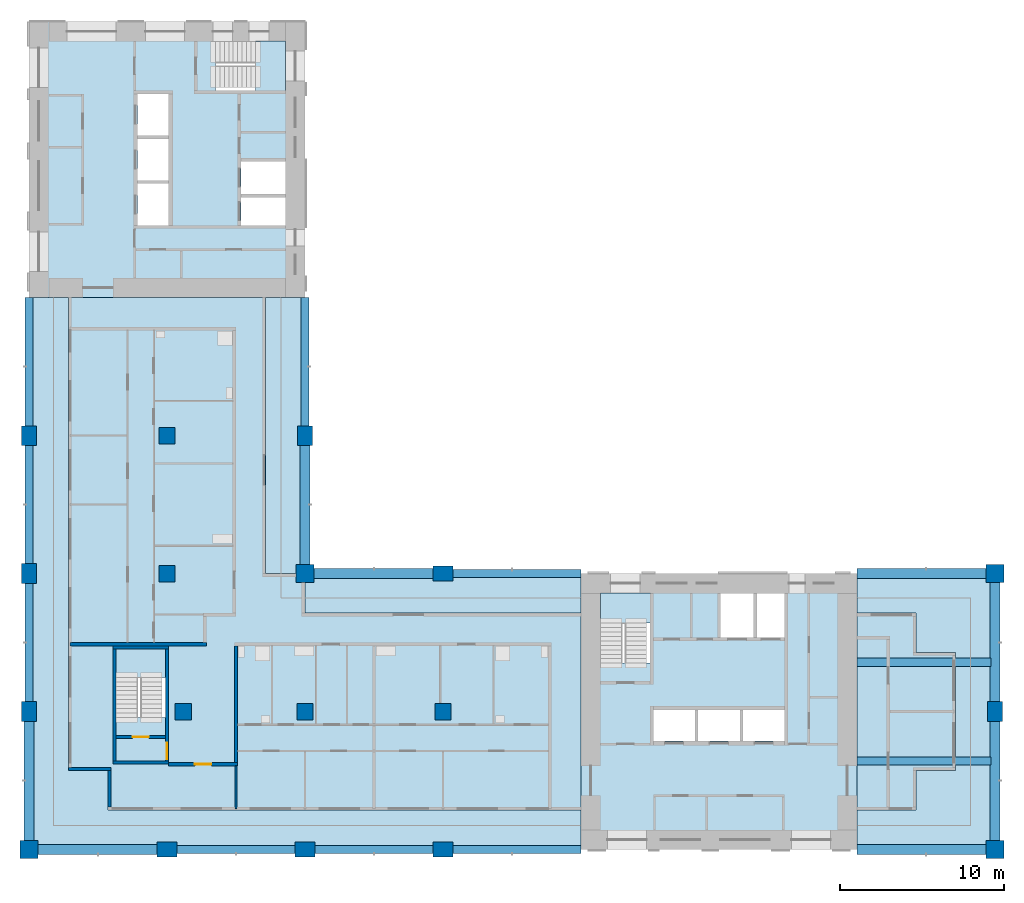
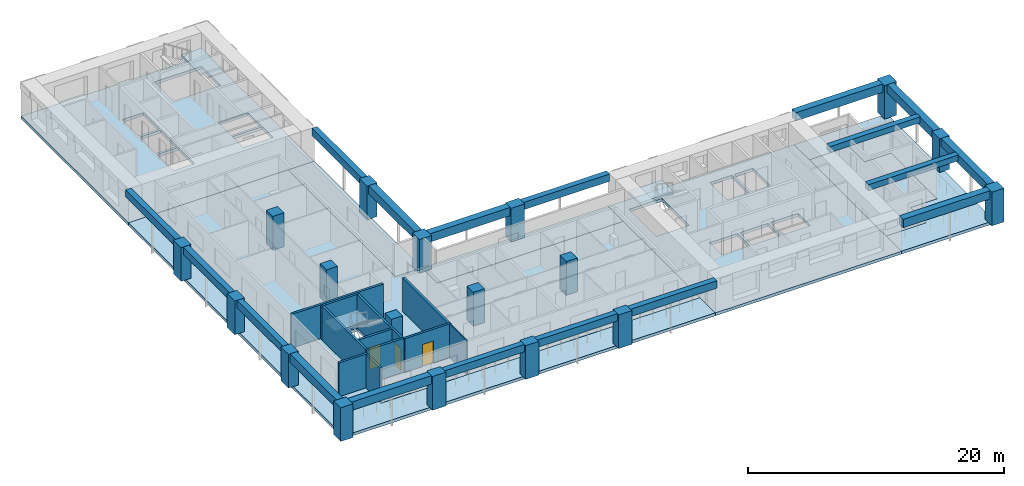
# One storey, part 1 of 11: 18 beams, 18 columns, 12 slabs, 11 walls, 3 doors, 3 openings, 3 elements without a shape of their own.
"""IFC4 building model written with IfcOpenShell, lengths in metres."""

from ifc_helpers import new_model, si_unit, direction, frame, frame_2d, origin, origin_2d, place, context, subcontext, project, spatial, polyline, rectangle, outline, extrude, material, layer, layer_set, material_profile, profile_set, type_object, element, fill, aggregate, save


model = new_model("IFC4")

# Units and contexts
model_context = context("Model", 3, precision=1e-05, world=origin(), true_north=direction((0.0, 1.0)))
body_context = subcontext(model_context, "Body", "Model", "MODEL_VIEW")
ifc_project = project(units=[si_unit("LENGTHUNIT", "METRE"), si_unit("AREAUNIT", "SQUARE_METRE"), si_unit("VOLUMEUNIT", "CUBIC_METRE"), si_unit("PLANEANGLEUNIT", "RADIAN"), si_unit("MASSUNIT", "GRAM", prefix="KILO")], contexts=[model_context])

# Site, building, storey
site_placement = place(None, origin())
site = spatial("IfcSite", under=ifc_project, at=site_placement, CompositionType="ELEMENT")
building_placement = place(site_placement, origin())
building = spatial("IfcBuilding", under=site, at=building_placement, Name="Vermilion Gate Residences", CompositionType="ELEMENT")
storey_placement = place(building_placement, frame((0.0, 0.0, 200.199951171875)))
storey = spatial("IfcBuildingStorey", under=building, at=storey_placement, Name="L52", CompositionType="ELEMENT", Elevation=200.199951171875)

# Columns
ifc_material_1 = material(Name="Concrete C60", Category="concrete")
ifc_material_profile_1 = material_profile(ifc_material_1, rectangle(XDim=1.0, YDim=1.0, at=origin_2d()), Name="RC-1000x1000")
ifc_profile_set_1 = profile_set([ifc_material_profile_1], Name="Concrete C60")
column_type_1 = type_object("IfcColumnType", Name="RC COLUMN 1000 X 1000 C60", PredefinedType="COLUMN", material=ifc_profile_set_1)
for number, where, z_axis, x_axis, name in (
    (1, (17.800048828125, 16.800048828125, 0.0), (0.0, 0.0, 1.0), (1.0, 0.0, 0.0), "Column 3-C L52"),
    (2, (16.800048828125, 25.199951171875, 0.0), (0.0, 0.0, 1.0), (1.0, 0.0, 0.0), "Column 3-D L52"),
    (3, (16.800048828125, 33.60009765625, 0.0), (0.0, 0.0, 1.0), (1.0, 0.0, 0.0), "Column 3-E L52"),
    (4, (25.199951171875, 16.800048828125, 0.0), (0.0, 0.0, 1.0), (1.0, 0.0, 0.0), "Column 4-C L52"),
    (5, (33.60009765625, 16.800048828125, 0.0), (0.0, 0.0, 1.0), (1.0, 0.0, 0.0), "Column 5-C L52"),
):
    element("IfcColumn", number, at=place(storey_placement, frame(where, z_axis=z_axis, x_axis=x_axis)), inside=storey, type_object=column_type_1, Name=name, PredefinedType="COLUMN", context=body_context, shape_type="SweptSolid", body=[
        extrude(rectangle(XDim=1.0, YDim=1.0, at=origin_2d()), origin(), (0.0, 0.0, 1.0), 3.219970703125),
    ])
ifc_material_2 = material(Name="Concrete C60", Category="concrete")
ifc_material_profile_2 = material_profile(ifc_material_2, rectangle(XDim=1.10009765625, YDim=1.10009765625, at=origin_2d()), Name="RC-1100x1100")
ifc_profile_set_2 = profile_set([ifc_material_profile_2], Name="Concrete C60")
column_type_2 = type_object("IfcColumnType", Name="RC COLUMN 1100 X 1100 C60", PredefinedType="COLUMN", material=ifc_profile_set_2)
for number, where, z_axis, x_axis, name in (
    (6, (8.39990234375, 8.39990234375, 0.0), (0.0, 0.0, 1.0), (1.0, 0.0, 0.0), "Column 2-B L52"),
    (7, (25.199951171875, 25.199951171875, 0.0), (0.0, 0.0, 1.0), (1.0, 0.0, 0.0), "Column 4-D L52"),
    (8, (67.199951171875, 8.39990234375, 0.0), (0.0, 0.0, 1.0), (1.0, 0.0, 0.0), "Column 9-B L52"),
    (9, (67.199951171875, 25.199951171875, 0.0), (0.0, 0.0, 1.0), (1.0, 0.0, 0.0), "Column 9-D L52"),
):
    element("IfcColumn", number, at=place(storey_placement, frame(where, z_axis=z_axis, x_axis=x_axis)), inside=storey, type_object=column_type_2, Name=name, PredefinedType="COLUMN", context=body_context, shape_type="SweptSolid", body=[
        extrude(rectangle(XDim=1.10009765625, YDim=1.10009765625, at=origin_2d()), origin(), (0.0, 0.0, 1.0), 3.219970703125),
    ])
ifc_material_3 = material(Name="Concrete C60", Category="concrete")
ifc_material_profile_3 = material_profile(ifc_material_3, rectangle(XDim=1.199951171875, YDim=0.89990234375, at=origin_2d()), Name="RC-1200x900")
ifc_profile_set_3 = profile_set([ifc_material_profile_3], Name="Concrete C60")
column_type_3 = type_object("IfcColumnType", Name="RC COLUMN 1200 X 900 C60", PredefinedType="COLUMN", material=ifc_profile_set_3)
for number, where, z_axis, x_axis, name in (
    (10, (8.39990234375, 16.800048828125, 0.0), (0.0, 0.0, 1.0), (0.0, 1.0, 0.0), "Column 2-C L52"),
    (11, (8.39990234375, 25.199951171875, 0.0), (0.0, 0.0, 1.0), (0.0, 1.0, 0.0), "Column 2-D L52"),
    (12, (8.39990234375, 33.60009765625, 0.0), (0.0, 0.0, 1.0), (0.0, 1.0, 0.0), "Column 2-E L52"),
    (13, (16.800048828125, 8.39990234375, 0.0), (0.0, 0.0, 1.0), (1.0, 0.0, 0.0), "Column 3-B L52"),
    (14, (25.199951171875, 8.39990234375, 0.0), (0.0, 0.0, 1.0), (1.0, 0.0, 0.0), "Column 4-B L52"),
    (15, (25.199951171875, 33.60009765625, 0.0), (0.0, 0.0, 1.0), (0.0, 1.0, 0.0), "Column 4-E L52"),
    (16, (33.60009765625, 8.39990234375, 0.0), (0.0, 0.0, 1.0), (1.0, 0.0, 0.0), "Column 5-B L52"),
    (17, (33.60009765625, 25.199951171875, 0.0), (0.0, 0.0, 1.0), (1.0, 0.0, 0.0), "Column 5-D L52"),
    (18, (67.199951171875, 16.800048828125, 0.0), (0.0, 0.0, 1.0), (0.0, 1.0, 0.0), "Column 9-C L52"),
):
    element("IfcColumn", number, at=place(storey_placement, frame(where, z_axis=z_axis, x_axis=x_axis)), inside=storey, type_object=column_type_3, Name=name, PredefinedType="COLUMN", context=body_context, shape_type="SweptSolid", body=[
        extrude(rectangle(XDim=1.199951171875, YDim=0.89990234375, at=origin_2d()), origin(), (0.0, 0.0, 1.0), 3.219970703125),
    ])

# Beams
ifc_material_4 = material(Name="Concrete C60 red-oxide pigmented", Category="concrete")
ifc_material_profile_4 = material_profile(ifc_material_4, rectangle(XDim=0.60009765625, YDim=0.800048828125, at=origin_2d()), Name="RC-600x800")
ifc_profile_set_4 = profile_set([ifc_material_profile_4], Name="Concrete C60 red-oxide pigmented")
beam_type_1 = type_object("IfcBeamType", Name="RC CORNER EDGE BEAM 600 X 800 C60", PredefinedType="BEAM", material=ifc_profile_set_4)
for number, where, z_axis, x_axis, name in (
    (19, (8.949951171875, 8.39990234375, 2.820068359375), (1.0, 0.0, 0.0), (0.0, 1.0, 0.0), "Corner edge beam L52 1"),
    (20, (8.39990234375, 8.949951171875, 2.820068359375), (0.0, 1.0, 0.0), (-1.0, 0.0, 0.0), "Corner edge beam L52 2"),
    (21, (25.199951171875, 25.75, 2.820068359375), (0.0, 1.0, 0.0), (-1.0, 0.0, 0.0), "Corner edge beam L52 7"),
    (22, (25.75, 25.199951171875, 2.820068359375), (1.0, 0.0, 0.0), (0.0, 1.0, 0.0), "Corner edge beam L52 10"),
):
    element("IfcBeam", number, at=place(storey_placement, frame(where, z_axis=z_axis, x_axis=x_axis)), inside=storey, type_object=beam_type_1, Name=name, PredefinedType="BEAM", context=body_context, shape_type="SweptSolid", body=[
        extrude(rectangle(XDim=0.60009765625, YDim=0.800048828125, at=origin_2d()), origin(), (0.0, 0.0, 1.0), 7.25),
    ])
beam_1_placement = place(storey_placement, frame((58.800048828125, 8.39990234375, 2.820068359375), z_axis=(1.0, 0.0, 0.0), x_axis=(0.0, 1.0, 0.0)))
element("IfcBeam", 23, at=beam_1_placement, inside=storey, type_object=beam_type_1, Name="Corner edge beam L52 13", PredefinedType="BEAM", context=body_context, shape_type="SweptSolid", body=[
    extrude(rectangle(XDim=0.60009765625, YDim=0.800048828125, at=origin_2d()), origin(), (0.0, 0.0, 1.0), 7.849853515625),
])
for number, where, z_axis, x_axis, name in (
    (24, (67.199951171875, 8.949951171875, 2.820068359375), (0.0, 1.0, 0.0), (-1.0, 0.0, 0.0), "Corner edge beam L52 14"),
    (25, (67.199951171875, 17.39990234375, 2.820068359375), (0.0, 1.0, 0.0), (-1.0, 0.0, 0.0), "Corner edge beam L52 15"),
):
    element("IfcBeam", number, at=place(storey_placement, frame(where, z_axis=z_axis, x_axis=x_axis)), inside=storey, type_object=beam_type_1, Name=name, PredefinedType="BEAM", context=body_context, shape_type="SweptSolid", body=[
        extrude(rectangle(XDim=0.60009765625, YDim=0.800048828125, at=origin_2d()), origin(), (0.0, 0.0, 1.0), 7.25),
    ])
beam_2_placement = place(storey_placement, frame((58.800048828125, 25.199951171875, 2.820068359375), z_axis=(1.0, 0.0, 0.0), x_axis=(0.0, 1.0, 0.0)))
element("IfcBeam", 26, at=beam_2_placement, inside=storey, type_object=beam_type_1, Name="Corner edge beam L52 16", PredefinedType="BEAM", context=body_context, shape_type="SweptSolid", body=[
    extrude(rectangle(XDim=0.60009765625, YDim=0.800048828125, at=origin_2d()), origin(), (0.0, 0.0, 1.0), 7.849853515625),
])
ifc_material_5 = material(Name="Concrete C60 red-oxide pigmented", Category="concrete")
ifc_material_profile_5 = material_profile(ifc_material_5, rectangle(XDim=0.5, YDim=0.699951171875, at=origin_2d()), Name="RC-500x700")
ifc_profile_set_5 = profile_set([ifc_material_profile_5], Name="Concrete C60 red-oxide pigmented")
beam_type_2 = type_object("IfcBeamType", Name="RC EDGE BEAM 500 X 700 C60", PredefinedType="BEAM", material=ifc_profile_set_5)
beam_3_placement = place(storey_placement, frame((8.39990234375, 17.39990234375, 2.8701171875), z_axis=(0.0, 1.0, 0.0), x_axis=(-1.0, 0.0, 0.0)))
element("IfcBeam", 27, at=beam_3_placement, inside=storey, type_object=beam_type_2, Name="Edge beam L52 3", PredefinedType="BEAM", context=body_context, shape_type="SweptSolid", body=[
    extrude(rectangle(XDim=0.5, YDim=0.699951171875, at=origin_2d()), origin(), (0.0, 0.0, 1.0), 7.2001953125),
])
beam_4_placement = place(storey_placement, frame((8.39990234375, 25.800048828125, 2.8701171875), z_axis=(0.0, 1.0, 0.0), x_axis=(-1.0, 0.0, 0.0)))
element("IfcBeam", 28, at=beam_4_placement, inside=storey, type_object=beam_type_2, Name="Edge beam L52 4", PredefinedType="BEAM", context=body_context, shape_type="SweptSolid", body=[
    extrude(rectangle(XDim=0.5, YDim=0.699951171875, at=origin_2d()), origin(), (0.0, 0.0, 1.0), 7.199951171875),
])
beam_5_placement = place(storey_placement, frame((8.39990234375, 34.199951171875, 2.8701171875), z_axis=(0.0, 1.0, 0.0), x_axis=(-1.0, 0.0, 0.0)))
element("IfcBeam", 29, at=beam_5_placement, inside=storey, type_object=beam_type_2, Name="Edge beam L52 5", PredefinedType="BEAM", context=body_context, shape_type="SweptSolid", body=[
    extrude(rectangle(XDim=0.5, YDim=0.699951171875, at=origin_2d()), origin(), (0.0, 0.0, 1.0), 7.800048828125),
])
beam_6_placement = place(storey_placement, frame((17.39990234375, 8.39990234375, 2.8701171875), z_axis=(1.0, 0.0, 0.0), x_axis=(0.0, 1.0, 0.0)))
element("IfcBeam", 30, at=beam_6_placement, inside=storey, type_object=beam_type_2, Name="Edge beam L52 6", PredefinedType="BEAM", context=body_context, shape_type="SweptSolid", body=[
    extrude(rectangle(XDim=0.5, YDim=0.699951171875, at=origin_2d()), origin(), (0.0, 0.0, 1.0), 7.2001953125),
])
beam_7_placement = place(storey_placement, frame((25.199951171875, 34.199951171875, 2.8701171875), z_axis=(0.0, 1.0, 0.0), x_axis=(-1.0, 0.0, 0.0)))
element("IfcBeam", 31, at=beam_7_placement, inside=storey, type_object=beam_type_2, Name="Edge beam L52 8", PredefinedType="BEAM", context=body_context, shape_type="SweptSolid", body=[
    extrude(rectangle(XDim=0.5, YDim=0.699951171875, at=origin_2d()), origin(), (0.0, 0.0, 1.0), 7.800048828125),
])
beam_8_placement = place(storey_placement, frame((25.800048828125, 8.39990234375, 2.8701171875), z_axis=(1.0, 0.0, 0.0), x_axis=(0.0, 1.0, 0.0)))
element("IfcBeam", 32, at=beam_8_placement, inside=storey, type_object=beam_type_2, Name="Edge beam L52 9", PredefinedType="BEAM", context=body_context, shape_type="SweptSolid", body=[
    extrude(rectangle(XDim=0.5, YDim=0.699951171875, at=origin_2d()), origin(), (0.0, 0.0, 1.0), 7.199951171875),
])
for number, where, z_axis, x_axis, name in (
    (33, (34.199951171875, 8.39990234375, 2.8701171875), (1.0, 0.0, 0.0), (0.0, 1.0, 0.0), "Edge beam L52 11"),
    (34, (34.199951171875, 25.199951171875, 2.8701171875), (1.0, 0.0, 0.0), (0.0, 1.0, 0.0), "Edge beam L52 12"),
):
    element("IfcBeam", number, at=place(storey_placement, frame(where, z_axis=z_axis, x_axis=x_axis)), inside=storey, type_object=beam_type_2, Name=name, PredefinedType="BEAM", context=body_context, shape_type="SweptSolid", body=[
        extrude(rectangle(XDim=0.5, YDim=0.699951171875, at=origin_2d()), origin(), (0.0, 0.0, 1.0), 7.800048828125),
    ])
ifc_material_6 = material(Name="Concrete C60", Category="concrete")
ifc_material_profile_6 = material_profile(ifc_material_6, rectangle(XDim=0.5, YDim=0.550048828125, at=origin_2d()), Name="RC-500x550")
ifc_profile_set_6 = profile_set([ifc_material_profile_6], Name="Concrete C60")
beam_type_3 = type_object("IfcBeamType", Name="RC WING BEAM 500 X 550 C60", PredefinedType="BEAM", material=ifc_profile_set_6)
for number, where, z_axis, x_axis, name in (
    (35, (58.800048828125, 13.800048828125, 2.945068359375), (1.0, 0.0, 0.0), (0.0, 1.0, 0.0), "Wing-end beam L52 1"),
    (36, (58.800048828125, 19.800048828125, 2.945068359375), (1.0, 0.0, 0.0), (0.0, 1.0, 0.0), "Wing-end beam L52 2"),
):
    element("IfcBeam", number, at=place(storey_placement, frame(where, z_axis=z_axis, x_axis=x_axis)), inside=storey, type_object=beam_type_3, Name=name, PredefinedType="BEAM", context=body_context, shape_type="SweptSolid", body=[
        extrude(rectangle(XDim=0.5, YDim=0.550048828125, at=origin_2d()), origin(), (0.0, 0.0, 1.0), 8.14990234375),
    ])

# Slabs
ifc_material_7 = material(Name="Concrete C50", Category="concrete")
ifc_layer_1 = layer(ifc_material_7, 0.280029296875)
ifc_layer_set_1 = layer_set([ifc_layer_1], Name="RC CORE FLOOR SLAB 280 C50")
slab_type_1 = type_object("IfcSlabType", Name="RC CORE FLOOR SLAB 280 C50", PredefinedType="FLOOR", material=ifc_layer_set_1)
slab_1_placement = place(storey_placement, frame((0.0, 0.0, -0.280029296875)))
element("IfcSlab", 37, at=slab_1_placement, inside=storey, type_object=slab_type_1, Name="Core floor slab A52", PredefinedType="FLOOR", context=body_context, shape_type="SweptSolid", body=[
    extrude(outline(polyline([(42.0, 8.39990234375), (58.800048828125, 8.39990234375), (58.800048828125, 25.199951171875), (42.0, 25.199951171875), (42.0, 8.39990234375)]), holes=[polyline([(46.39990234375, 15.0), (46.39990234375, 16.89990234375), (48.933349609375, 16.89990234375), (48.933349609375, 15.0), (46.39990234375, 15.0)]), polyline([(49.13330078125, 16.89990234375), (51.666748046875, 16.89990234375), (51.666748046875, 15.0), (49.13330078125, 15.0), (49.13330078125, 16.89990234375)]), polyline([(51.86669921875, 16.89990234375), (54.39990234375, 16.89990234375), (54.39990234375, 15.0), (51.86669921875, 15.0), (51.86669921875, 16.89990234375)]), polyline([(43.199951171875, 19.75), (43.199951171875, 24.0), (46.199951171875, 24.0), (46.199951171875, 19.75), (43.199951171875, 19.75)]), polyline([(50.5, 24.0), (52.5, 24.0), (52.5, 21.300048828125), (50.5, 21.300048828125), (50.5, 24.0)]), polyline([(52.699951171875, 24.0), (54.39990234375, 24.0), (54.39990234375, 21.300048828125), (52.699951171875, 21.300048828125), (52.699951171875, 24.0)])]), origin(), (0.0, 0.0, 1.0), 0.280029296875),
])
slab_2_placement = place(storey_placement, frame((0.0, 0.0, -0.280029296875)))
element("IfcSlab", 38, at=slab_2_placement, inside=storey, type_object=slab_type_1, Name="Core floor slab B52", PredefinedType="FLOOR", context=body_context, shape_type="SweptSolid", body=[
    extrude(outline(polyline([(8.39990234375, 42.0), (25.199951171875, 42.0), (25.199951171875, 58.800048828125), (8.39990234375, 58.800048828125), (8.39990234375, 42.0)]), holes=[polyline([(21.300048828125, 46.39990234375), (21.300048828125, 48.10009765625), (24.0, 48.10009765625), (24.0, 46.39990234375), (21.300048828125, 46.39990234375)]), polyline([(15.0, 48.933349609375), (16.89990234375, 48.933349609375), (16.89990234375, 46.39990234375), (15.0, 46.39990234375), (15.0, 48.933349609375)]), polyline([(21.300048828125, 50.300048828125), (24.0, 50.300048828125), (24.0, 48.300048828125), (21.300048828125, 48.300048828125), (21.300048828125, 50.300048828125)]), polyline([(15.0, 49.13330078125), (15.0, 51.666748046875), (16.89990234375, 51.666748046875), (16.89990234375, 49.13330078125), (15.0, 49.13330078125)]), polyline([(15.0, 54.39990234375), (16.89990234375, 54.39990234375), (16.89990234375, 51.86669921875), (15.0, 51.86669921875), (15.0, 54.39990234375)]), polyline([(19.75, 57.60009765625), (24.0, 57.60009765625), (24.0, 54.60009765625), (19.75, 54.60009765625), (19.75, 57.60009765625)])]), origin(), (0.0, 0.0, 1.0), 0.280029296875),
])
slab_3_placement = place(storey_placement, frame((0.0, 0.0, -0.280029296875)))
element("IfcSlab", 39, at=slab_3_placement, inside=storey, type_object=slab_type_1, Name="Apex stair floor slab 52", PredefinedType="FLOOR", context=body_context, shape_type="SweptSolid", body=[
    extrude(outline(polyline([(13.5, 13.60009765625), (16.89990234375, 13.60009765625), (16.89990234375, 20.800048828125), (13.5, 20.800048828125), (13.5, 13.60009765625)]), holes=[polyline([(16.699951171875, 20.60009765625), (16.699951171875, 16.449951171875), (13.699951171875, 16.449951171875), (13.699951171875, 20.60009765625), (16.699951171875, 20.60009765625)])]), origin(), (0.0, 0.0, 1.0), 0.280029296875),
])
ifc_material_8 = material(Name="Concrete C50", Category="concrete")
ifc_layer_2 = layer(ifc_material_8, 0.280029296875)
ifc_layer_set_2 = layer_set([ifc_layer_2], Name="RC FLAT PLATE 280 C50")
slab_type_2 = type_object("IfcSlabType", Name="RC FLAT PLATE 280 C50", PredefinedType="FLOOR", material=ifc_layer_set_2)
slab_4_placement = place(storey_placement, frame((0.0, 0.0, -0.280029296875)))
element("IfcSlab", 40, at=slab_4_placement, inside=storey, type_object=slab_type_2, Name="Floor slab L52", PredefinedType="FLOOR", context=body_context, shape_type="SweptSolid", body=[
    extrude(outline(polyline([(22.800048828125, 25.199951171875), (22.800048828125, 42.0), (10.800048828125, 42.0), (10.800048828125, 13.199951171875), (13.199951171875, 13.199951171875), (13.199951171875, 10.800048828125), (42.0, 10.800048828125), (42.0, 22.800048828125), (25.199951171875, 22.800048828125), (25.199951171875, 25.199951171875), (22.800048828125, 25.199951171875)]), holes=[polyline([(13.5, 13.60009765625), (13.5, 20.800048828125), (16.89990234375, 20.800048828125), (16.89990234375, 13.60009765625), (13.5, 13.60009765625)])]), origin(), (0.0, 0.0, 1.0), 0.280029296875),
])
slab_5_placement = place(storey_placement, frame((0.0, 0.0, -0.280029296875)))
element("IfcSlab", 41, at=slab_5_placement, inside=storey, type_object=slab_type_2, Name="Floor slab L52", PredefinedType="FLOOR", context=body_context, shape_type="SweptSolid", body=[
    extrude(outline(polyline([(58.800048828125, 22.800048828125), (58.800048828125, 10.800048828125), (62.39990234375, 10.800048828125), (62.39990234375, 13.199951171875), (64.800048828125, 13.199951171875), (64.800048828125, 20.39990234375), (62.39990234375, 20.39990234375), (62.39990234375, 22.800048828125), (58.800048828125, 22.800048828125)])), origin(), (0.0, 0.0, 1.0), 0.280029296875),
])
ifc_material_9 = material(Name="Concrete C50 red-oxide pigmented", Category="concrete")
ifc_layer_3 = layer(ifc_material_9, 0.280029296875)
ifc_layer_set_3 = layer_set([ifc_layer_3], Name="RC LOGGIA SLAB 280 C50")
slab_type_3 = type_object("IfcSlabType", Name="RC LOGGIA SLAB 280 C50", PredefinedType="FLOOR", material=ifc_layer_set_3)
slab_6_placement = place(storey_placement, frame((0.0, 0.0, -0.280029296875)))
element("IfcSlab", 42, at=slab_6_placement, inside=storey, type_object=slab_type_3, Name="Loggia slab L52", PredefinedType="FLOOR", context=body_context, shape_type="SweptSolid", body=[
    extrude(outline(polyline([(8.39990234375, 42.0), (8.39990234375, 8.39990234375), (42.0, 8.39990234375), (42.0, 10.800048828125), (13.199951171875, 10.800048828125), (13.199951171875, 13.199951171875), (10.800048828125, 13.199951171875), (10.800048828125, 42.0), (8.39990234375, 42.0)])), origin(), (0.0, 0.0, 1.0), 0.280029296875),
])
slab_7_placement = place(storey_placement, frame((0.0, 0.0, -0.280029296875)))
element("IfcSlab", 43, at=slab_7_placement, inside=storey, type_object=slab_type_3, Name="Loggia slab L52", PredefinedType="FLOOR", context=body_context, shape_type="SweptSolid", body=[
    extrude(outline(polyline([(64.800048828125, 13.199951171875), (62.39990234375, 13.199951171875), (62.39990234375, 10.800048828125), (58.800048828125, 10.800048828125), (58.800048828125, 8.39990234375), (67.199951171875, 8.39990234375), (67.199951171875, 25.199951171875), (58.800048828125, 25.199951171875), (58.800048828125, 22.800048828125), (62.39990234375, 22.800048828125), (62.39990234375, 20.39990234375), (64.800048828125, 20.39990234375), (64.800048828125, 13.199951171875)])), origin(), (0.0, 0.0, 1.0), 0.280029296875),
])
slab_8_placement = place(storey_placement, frame((0.0, 0.0, -0.280029296875)))
element("IfcSlab", 44, at=slab_8_placement, inside=storey, type_object=slab_type_3, Name="Loggia slab L52", PredefinedType="FLOOR", context=body_context, shape_type="SweptSolid", body=[
    extrude(outline(polyline([(42.0, 25.199951171875), (25.199951171875, 25.199951171875), (25.199951171875, 22.800048828125), (42.0, 22.800048828125), (42.0, 25.199951171875)])), origin(), (0.0, 0.0, 1.0), 0.280029296875),
])
slab_9_placement = place(storey_placement, frame((0.0, 0.0, -0.280029296875)))
element("IfcSlab", 45, at=slab_9_placement, inside=storey, type_object=slab_type_3, Name="Loggia slab L52", PredefinedType="FLOOR", context=body_context, shape_type="SweptSolid", body=[
    extrude(outline(polyline([(22.800048828125, 42.0), (22.800048828125, 25.199951171875), (25.199951171875, 25.199951171875), (25.199951171875, 42.0), (22.800048828125, 42.0)])), origin(), (0.0, 0.0, 1.0), 0.280029296875),
])

# Stair, slab
ifc_material_10 = material(Name="Concrete C50", Category="concrete")
stair_type = type_object("IfcStairType", Name="SPECIAL ESCAPE STAIR 1300", PredefinedType="HALF_TURN_STAIR", material=ifc_material_10)
stair_1_placement = place(storey_placement, origin())
stair_1 = element("IfcStair", 46, at=stair_1_placement, inside=storey, type_object=stair_type, Name="Special escape stair STA1-52", PredefinedType="HALF_TURN_STAIR")
ifc_material_11 = material(Name="Concrete C50", Category="concrete")
ifc_layer_4 = layer(ifc_material_11, 0.199951171875)
ifc_layer_set_4 = layer_set([ifc_layer_4], Name="STAIR LANDING 200 C50")
slab_type_4 = type_object("IfcSlabType", Name="STAIR LANDING 200 C50", PredefinedType="LANDING", material=ifc_layer_set_4)
slab_10_placement = place(storey_placement, frame((0.0, 0.0, 1.550048828125)))
slab_10 = element("IfcSlab", 47, at=slab_10_placement, type_object=slab_type_4, Name="STA1-52 landing 1", PredefinedType="LANDING", context=body_context, shape_type="SweptSolid", body=[
    extrude(outline(polyline([(46.219970703125, 22.179931640625), (46.219970703125, 24.02001953125), (43.179931640625, 24.02001953125), (43.179931640625, 22.179931640625), (46.219970703125, 22.179931640625)])), origin(), (0.0, 0.0, 1.0), 0.199951171875),
])
aggregate(stair_1, [slab_10])

stair_2_placement = place(storey_placement, origin())
stair_2 = element("IfcStair", 48, at=stair_2_placement, inside=storey, type_object=stair_type, Name="Special escape stair STB1-52", PredefinedType="HALF_TURN_STAIR")
slab_11_placement = place(storey_placement, frame((0.0, 0.0, 1.550048828125)))
slab_11 = element("IfcSlab", 49, at=slab_11_placement, type_object=slab_type_4, Name="STB1-52 landing 1", PredefinedType="LANDING", context=body_context, shape_type="SweptSolid", body=[
    extrude(outline(polyline([(24.02001953125, 54.580078125), (24.02001953125, 57.6201171875), (22.179931640625, 57.6201171875), (22.179931640625, 54.580078125), (24.02001953125, 54.580078125)])), origin(), (0.0, 0.0, 1.0), 0.199951171875),
])
aggregate(stair_2, [slab_11])

stair_3_placement = place(storey_placement, origin())
stair_3 = element("IfcStair", 50, at=stair_3_placement, inside=storey, type_object=stair_type, Name="Special escape stair STC1-52", PredefinedType="HALF_TURN_STAIR")
slab_12_placement = place(storey_placement, frame((0.0, 0.0, 1.550048828125)))
slab_12 = element("IfcSlab", 51, at=slab_12_placement, type_object=slab_type_4, Name="STC1-52 landing 1", PredefinedType="LANDING", context=body_context, shape_type="SweptSolid", body=[
    extrude(outline(polyline([(16.719970703125, 18.8798828125), (16.719970703125, 20.6201171875), (13.679931640625, 20.6201171875), (13.679931640625, 18.8798828125), (16.719970703125, 18.8798828125)])), origin(), (0.0, 0.0, 1.0), 0.199951171875),
])
aggregate(stair_3, [slab_12])

# Walls
ifc_material_12 = material(Name="Insulated steel stud wall with terracotta rainscreen", Category="masonry")
ifc_layer_5 = layer(ifc_material_12, 0.199951171875)
ifc_layer_set_5 = layer_set([ifc_layer_5], Name="EXTERNAL WALL 200 TERRACOTTA RAINSCREEN")
wall_type_1 = type_object("IfcWallType", Name="EXTERNAL WALL 200 TERRACOTTA RAINSCREEN", PredefinedType="SOLIDWALL", material=ifc_layer_set_5)
wall_1_placement = place(storey_placement, frame((10.800048828125, 13.300048828125, 0.0), z_axis=(0.0, 0.0, 1.0), x_axis=(1.0, 0.0, 0.0)))
element("IfcWall", 52, at=wall_1_placement, inside=storey, type_object=wall_type_1, Name="External wall", PredefinedType="SOLIDWALL", context=body_context, shape_type="SweptSolid", body=[
    extrude(rectangle(XDim=2.599853515625, YDim=0.199951171875, at=frame_2d((1.2998046875, 0.0))), origin(), (0.0, 0.0, 1.0), 3.219970703125),
])
wall_2_placement = place(storey_placement, frame((13.300048828125, 13.199951171875, 0.0), z_axis=(0.0, 0.0, 1.0), x_axis=(0.0, -1.0, 0.0)))
element("IfcWall", 53, at=wall_2_placement, inside=storey, type_object=wall_type_1, Name="External wall", PredefinedType="SOLIDWALL", context=body_context, shape_type="SweptSolid", body=[
    extrude(rectangle(XDim=2.199951171875, YDim=0.199951171875, at=frame_2d((1.10009765625, 0.0))), origin(), (0.0, 0.0, 1.0), 3.219970703125),
])
ifc_material_13 = material(Name="Plasterboard on steel studs", Category="steel")
ifc_layer_6 = layer(ifc_material_13, 0.10009765625)
ifc_layer_set_6 = layer_set([ifc_layer_6], Name="PARTITION 100")
wall_type_2 = type_object("IfcWallType", Name="PARTITION 100", PredefinedType="PARTITIONING", material=ifc_layer_set_6)
wall_3_placement = place(storey_placement, frame((21.0, 10.89990234375, 0.0), z_axis=(0.0, 0.0, 1.0), x_axis=(0.0, 1.0, 0.0)))
element("IfcWall", 54, at=wall_3_placement, inside=storey, type_object=wall_type_2, Name="Partition", PredefinedType="PARTITIONING", context=body_context, shape_type="SweptSolid", body=[
    extrude(rectangle(XDim=2.60009765625, YDim=0.10009765625, at=frame_2d((1.300048828125, 0.0))), origin(), (0.0, 0.0, 1.0), 3.219970703125),
])

# Wall, opening, door
ifc_material_14 = material(Name="Fire-rated plasterboard on steel studs", Category="steel")
ifc_layer_7 = layer(ifc_material_14, 0.199951171875)
ifc_layer_set_7 = layer_set([ifc_layer_7], Name="PARTY WALL 200 EI 120")
wall_type_3 = type_object("IfcWallType", Name="PARTY WALL 200 EI 120", PredefinedType="PARTITIONING", material=ifc_layer_set_7)
wall_4_placement = place(storey_placement, frame((16.89990234375, 13.60009765625, 0.0), z_axis=(0.0, 0.0, 1.0), x_axis=(1.0, 0.0, 0.0)))
wall_4 = element("IfcWall", 55, at=wall_4_placement, inside=storey, type_object=wall_type_3, Name="Party and corridor wall", PredefinedType="PARTITIONING", context=body_context, shape_type="SweptSolid", body=[
    extrude(rectangle(XDim=4.2001953125, YDim=0.199951171875, at=frame_2d((2.10009765625, 0.0))), origin(), (0.0, 0.0, 1.0), 3.219970703125),
])
opening_1_placement = place(wall_4_placement, frame((1.60009765625, 0.0, 0.0)))
opening_1 = element("IfcOpeningElement", 56, at=opening_1_placement, cuts=wall_4, Name="Opening DA52001", PredefinedType="OPENING", context=body_context, shape_type="SweptSolid", body=[
    extrude(rectangle(XDim=1.0, YDim=2.10009765625, at=frame_2d((0.5, 1.050048828125))), frame((0.0, 0.10986328125, 0.0), z_axis=(0.0, -1.0, 0.0), x_axis=(1.0, 0.0, 0.0)), (0.0, 0.0, 1.0), 0.219970703125),
])
ifc_material_15 = material(Name="Steel", Category="steel")
door_type_1 = type_object("IfcDoorType", Name="ENTRANCE DOOR 1000 X 2100 FD30", OperationType="SINGLE_SWING_LEFT", PredefinedType="DOOR", material=ifc_material_15)
door_1_placement = place(opening_1_placement, frame((1.0, 0.0, 0.0), z_axis=(0.0, 0.0, 1.0), x_axis=(-1.0, 0.0, 0.0)))
door_1 = element("IfcDoor", 57, at=door_1_placement, inside=storey, type_object=door_type_1, Name="Entrance door", OperationType="SINGLE_SWING_LEFT", OverallHeight=2.10009765625, OverallWidth=1.0, PredefinedType="DOOR", context=body_context, shape_type="SweptSolid", body=[
    extrude(rectangle(XDim=1.0, YDim=2.10009765625, at=frame_2d((0.5, 1.050048828125))), frame((0.0, 0.02490234375, 0.0), z_axis=(0.0, -1.0, 0.0), x_axis=(1.0, 0.0, 0.0)), (0.0, 0.0, 1.0), 0.050048828125),
])
fill(opening_1, door_1)

# Walls
wall_5_placement = place(storey_placement, frame((10.89990234375, 20.89990234375, 0.0), z_axis=(0.0, 0.0, 1.0), x_axis=(1.0, 0.0, 0.0)))
element("IfcWall", 58, at=wall_5_placement, inside=storey, type_object=wall_type_3, Name="Party and corridor wall", PredefinedType="PARTITIONING", context=body_context, shape_type="SweptSolid", body=[
    extrude(rectangle(XDim=8.300048828125, YDim=0.199951171875, at=frame_2d((4.14990234375, 0.0))), origin(), (0.0, 0.0, 1.0), 3.219970703125),
])
wall_6_placement = place(storey_placement, frame((21.0, 13.699951171875, 0.0), z_axis=(0.0, 0.0, 1.0), x_axis=(0.0, 1.0, 0.0)))
element("IfcWall", 59, at=wall_6_placement, inside=storey, type_object=wall_type_3, Name="Party and corridor wall", PredefinedType="PARTITIONING", context=body_context, shape_type="SweptSolid", body=[
    extrude(rectangle(XDim=7.10009765625, YDim=0.199951171875, at=frame_2d((3.550048828125, 0.0))), origin(), (0.0, 0.0, 1.0), 3.219970703125),
])
ifc_material_16 = material(Name="Concrete C60", Category="concrete")
ifc_layer_8 = layer(ifc_material_16, 0.199951171875)
ifc_layer_set_8 = layer_set([ifc_layer_8], Name="RC CORE INTERNAL WALL 200 C60")
wall_type_4 = type_object("IfcWallType", Name="RC CORE INTERNAL WALL 200 C60", PredefinedType="SHEAR", material=ifc_layer_set_8)
wall_7_placement = place(storey_placement, frame((13.60009765625, 13.800048828125, 0.0), z_axis=(0.0, 0.0, 1.0), x_axis=(0.0, 1.0, 0.0)))
element("IfcWall", 60, at=wall_7_placement, inside=storey, type_object=wall_type_4, Name="Core internal wall C52-W", PredefinedType="SHEAR", context=body_context, shape_type="SweptSolid", body=[
    extrude(rectangle(XDim=6.800048828125, YDim=0.199951171875, at=frame_2d((3.39990234375, 0.0))), origin(), (0.0, 0.0, 1.0), 3.219970703125),
])

# Wall, opening, door
wall_8_placement = place(storey_placement, frame((16.800048828125, 13.800048828125, 0.0), z_axis=(0.0, 0.0, 1.0), x_axis=(0.0, 1.0, 0.0)))
wall_8 = element("IfcWall", 61, at=wall_8_placement, inside=storey, type_object=wall_type_4, Name="Core internal wall C52-E", PredefinedType="SHEAR", context=body_context, shape_type="SweptSolid", body=[
    extrude(rectangle(XDim=6.800048828125, YDim=0.199951171875, at=frame_2d((3.39990234375, 0.0))), origin(), (0.0, 0.0, 1.0), 3.219970703125),
])
opening_2_placement = place(wall_8_placement, frame((0.10009765625, 0.0, 0.0)))
opening_2 = element("IfcOpeningElement", 62, at=opening_2_placement, cuts=wall_8, Name="Opening DK52201", PredefinedType="OPENING", context=body_context, shape_type="SweptSolid", body=[
    extrude(rectangle(XDim=1.0, YDim=2.10009765625, at=frame_2d((0.5, 1.050048828125))), frame((0.0, 0.10986328125, 0.0), z_axis=(0.0, -1.0, 0.0), x_axis=(1.0, 0.0, 0.0)), (0.0, 0.0, 1.0), 0.219970703125),
])
ifc_material_17 = material(Name="Steel", Category="steel")
door_type_2 = type_object("IfcDoorType", Name="FIRE DOOR FD60 1000 X 2100", OperationType="SINGLE_SWING_LEFT", PredefinedType="DOOR", material=ifc_material_17)
door_2_placement = place(opening_2_placement, frame((1.0, 0.0, 0.0), z_axis=(0.0, 0.0, 1.0), x_axis=(-1.0, 0.0, 0.0)))
door_2 = element("IfcDoor", 63, at=door_2_placement, inside=storey, type_object=door_type_2, Name="Stair vestibule door C52", OperationType="SINGLE_SWING_RIGHT", OverallHeight=2.10009765625, OverallWidth=1.0, PredefinedType="DOOR", context=body_context, shape_type="SweptSolid", body=[
    extrude(rectangle(XDim=1.0, YDim=2.10009765625, at=frame_2d((0.5, 1.050048828125))), frame((0.0, 0.02490234375, 0.0), z_axis=(0.0, -1.0, 0.0), x_axis=(1.0, 0.0, 0.0)), (0.0, 0.0, 1.0), 0.050048828125),
])
fill(opening_2, door_2)

# Walls
for number, where, z_axis, x_axis, name in (
    (64, (13.5, 13.699951171875, 0.0), (0.0, 0.0, 1.0), (1.0, 0.0, 0.0), "Core internal wall C52-S"),
    (65, (13.5, 20.699951171875, 0.0), (0.0, 0.0, 1.0), (1.0, 0.0, 0.0), "Core internal wall C52-N"),
):
    element("IfcWall", number, at=place(storey_placement, frame(where, z_axis=z_axis, x_axis=x_axis)), inside=storey, type_object=wall_type_4, Name=name, PredefinedType="SHEAR", context=body_context, shape_type="SweptSolid", body=[
        extrude(rectangle(XDim=3.39990234375, YDim=0.199951171875, at=frame_2d((1.699951171875, 0.0))), origin(), (0.0, 0.0, 1.0), 3.219970703125),
    ])

# Wall, opening, door
wall_9_placement = place(storey_placement, frame((13.699951171875, 15.25, 0.0), z_axis=(0.0, 0.0, 1.0), x_axis=(1.0, 0.0, 0.0)))
wall_9 = element("IfcWall", 66, at=wall_9_placement, inside=storey, type_object=wall_type_4, Name="Core internal wall C52-P", PredefinedType="SHEAR", context=body_context, shape_type="SweptSolid", body=[
    extrude(rectangle(XDim=3.0, YDim=0.199951171875, at=frame_2d((1.5, 0.0))), origin(), (0.0, 0.0, 1.0), 3.219970703125),
])
opening_3_placement = place(wall_9_placement, frame((1.0, 0.0, 0.0)))
opening_3 = element("IfcOpeningElement", 67, at=opening_3_placement, cuts=wall_9, Name="Opening DK52202", PredefinedType="OPENING", context=body_context, shape_type="SweptSolid", body=[
    extrude(rectangle(XDim=1.0, YDim=2.10009765625, at=frame_2d((0.5, 1.050048828125))), frame((0.0, 0.10986328125, 0.0), z_axis=(0.0, -1.0, 0.0), x_axis=(1.0, 0.0, 0.0)), (0.0, 0.0, 1.0), 0.219970703125),
])
door_3_placement = place(opening_3_placement, origin())
door_3 = element("IfcDoor", 68, at=door_3_placement, inside=storey, type_object=door_type_2, Name="Stair door C52", OperationType="SINGLE_SWING_LEFT", OverallHeight=2.10009765625, OverallWidth=1.0, PredefinedType="DOOR", context=body_context, shape_type="SweptSolid", body=[
    extrude(rectangle(XDim=1.0, YDim=2.10009765625, at=frame_2d((0.5, 1.050048828125))), frame((0.0, 0.02490234375, 0.0), z_axis=(0.0, -1.0, 0.0), x_axis=(1.0, 0.0, 0.0)), (0.0, 0.0, 1.0), 0.050048828125),
])
fill(opening_3, door_3)

save(model, "model.ifc")
